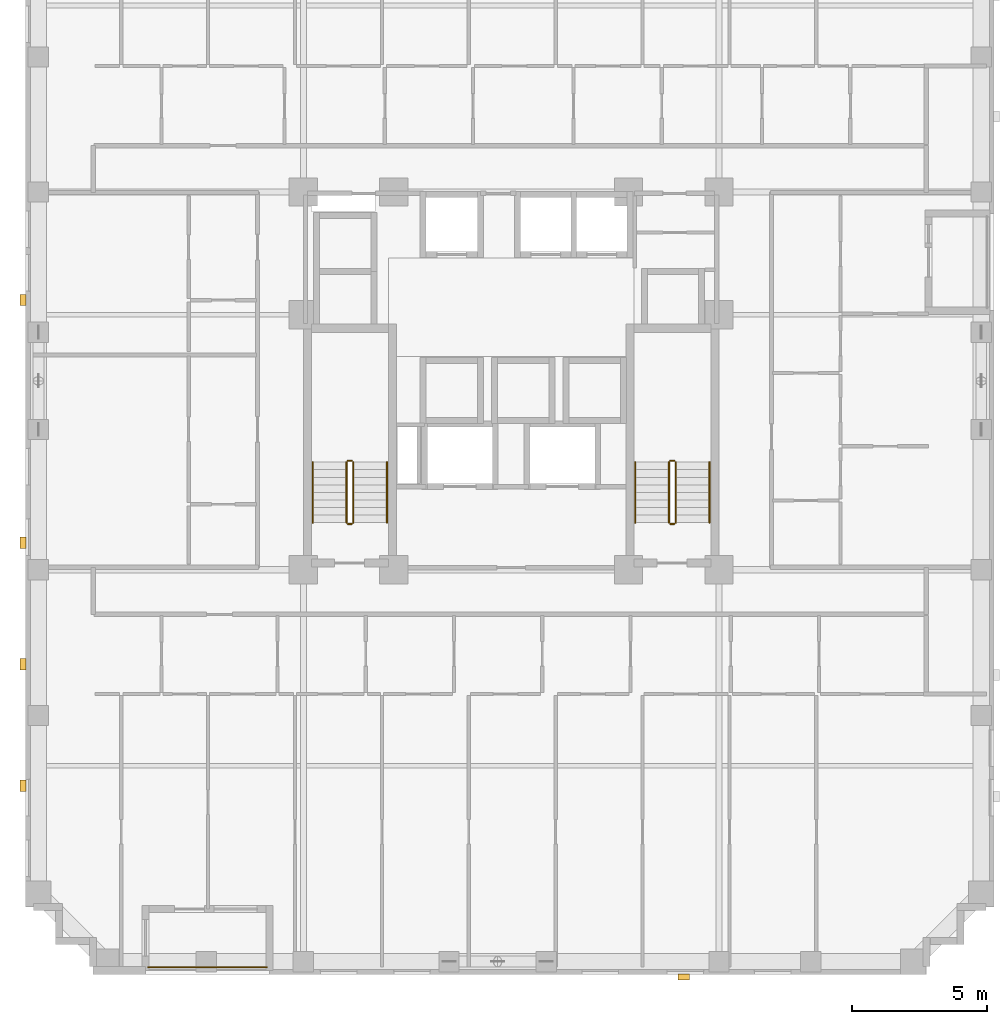
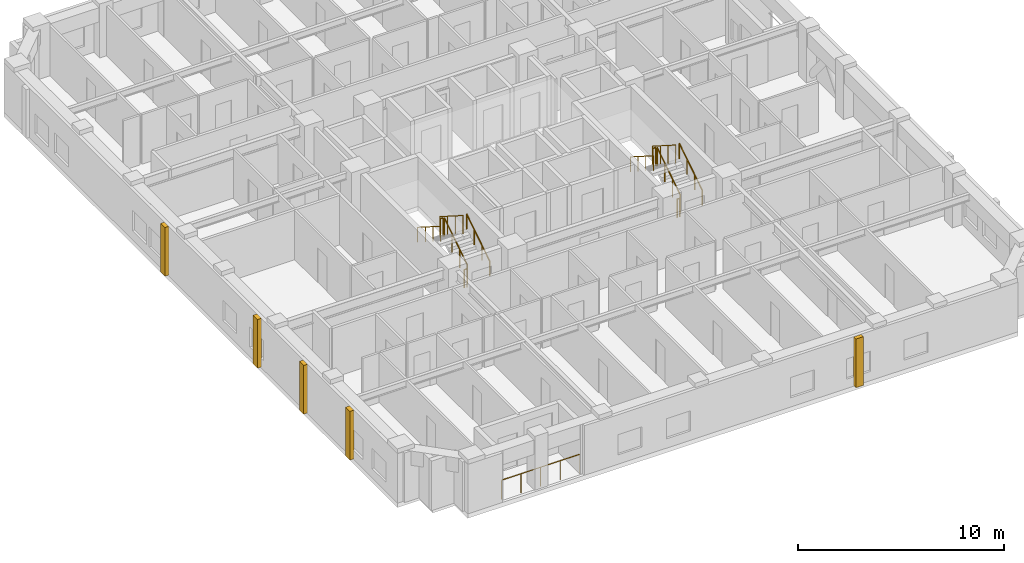
# One storey, part 12 of 13: 13 railings, 5 coverings.
"""IFC4 building model written with IfcOpenShell, lengths in metres."""

from ifc_helpers import new_model, si_unit, derived_unit, direction, frame, origin, origin_2d, place, context, subcontext, project, spatial, rectangle, circle, extrude, material, layer, layer_set, type_object, element, save


model = new_model("IFC4")

# Units and contexts
model_context = context("Model", 3, precision=1e-05, world=origin(), true_north=direction((0.0, 1.0)))
body_context = subcontext(model_context, "Body", "Model", "MODEL_VIEW")
ifc_project = project(units=[si_unit("LENGTHUNIT", "METRE"), si_unit("AREAUNIT", "SQUARE_METRE"), si_unit("VOLUMEUNIT", "CUBIC_METRE"), si_unit("PLANEANGLEUNIT", "RADIAN"), si_unit("MASSUNIT", "GRAM", prefix="KILO"), derived_unit("THERMALTRANSMITTANCEUNIT", [(si_unit("MASSUNIT", "GRAM", prefix="KILO"), 1), (si_unit("TIMEUNIT", "SECOND"), -3), (si_unit("THERMODYNAMICTEMPERATUREUNIT", "KELVIN"), -1)])], contexts=[model_context])

# Site, building, storey
site_placement = place(None, origin())
site = spatial("IfcSite", under=ifc_project, at=site_placement, CompositionType="ELEMENT")
building_placement = place(site_placement, origin())
building = spatial("IfcBuilding", under=site, at=building_placement, Name="Korrvale Station Residences", CompositionType="ELEMENT")
storey_placement = place(building_placement, frame((0.0, 0.0, 100.699951171875)))
storey = spatial("IfcBuildingStorey", under=building, at=storey_placement, Name="L28", CompositionType="ELEMENT", Elevation=100.699951171875)

# Coverings
ifc_material_1 = material(Name="Architectural precast concrete C45/55", Category="concrete")
ifc_layer = layer(ifc_material_1, 0.219970703125, Name="Architectural precast concrete C45/55")
ifc_layer_set = layer_set([ifc_layer], Name="Architectural precast concrete C45/55")
covering_type = type_object("IfcCoveringType", Name="COV-PIER-400", PredefinedType="CLADDING", material=ifc_layer_set)
for number, where, z_axis, x_axis, name in (
    (1, (31.89990234375, -0.090087890625, 0.02490234375), (0.0, 0.0, 1.0), (1.0, 0.0, 0.0), "L28 Architectural Precast Facade Pier 01"),
    (2, (7.409912109375, 7.0, 0.02490234375), (0.0, 0.0, 1.0), (0.0, 1.0, 0.0), "L28 Architectural Precast Facade Pier 04"),
    (3, (7.409912109375, 11.5, 0.02490234375), (0.0, 0.0, 1.0), (0.0, 1.0, 0.0), "L28 Architectural Precast Facade Pier 05"),
    (4, (7.409912109375, 16.0, 0.02490234375), (0.0, 0.0, 1.0), (0.0, 1.0, 0.0), "L28 Architectural Precast Facade Pier 06"),
    (5, (7.409912109375, 25.0, 0.02490234375), (0.0, 0.0, 1.0), (0.0, 1.0, 0.0), "L28 Architectural Precast Facade Pier 07"),
):
    element("IfcCovering", number, at=place(storey_placement, frame(where, z_axis=z_axis, x_axis=x_axis)), inside=storey, type_object=covering_type, Name=name, PredefinedType="CLADDING", context=body_context, shape_type="SweptSolid", body=[
        extrude(rectangle(XDim=0.419921875, YDim=0.219970703125, at=origin_2d()), origin(), (0.0, 0.0, 1.0), 2.889892578125),
    ])

# Railings
ifc_material_2 = material(Name="Powder-coated aluminium picket loggia guard", Category="aluminium")
railing_type_1 = type_object("IfcRailingType", Name="RLG-BAL-1150", PredefinedType="GUARDRAIL", material=ifc_material_2)
railing_1_placement = place(storey_placement, frame((12.050048828125, 0.27001953125, 0.0)))
element("IfcRailing", 6, at=railing_1_placement, inside=storey, type_object=railing_type_1, Name="L28 Recessed Loggia Guardrail BAL-L28-S1", PredefinedType="GUARDRAIL", context=body_context, shape_type="SweptSolid", body=[
    extrude(circle(Radius=0.02392578125, at=origin_2d()), frame((0.0, 0.0, 1.1259765625), z_axis=(1.0, 0.0, 0.0), x_axis=(0.0, 1.0, 0.0)), (0.0, 0.0, 1.0), 4.39990234375),
    extrude(circle(Radius=0.02099609375, at=origin_2d()), origin(), (0.0, 0.0, 1.0), 1.101806640625),
    extrude(circle(Radius=0.02099609375, at=origin_2d()), frame((1.10009765625, 0.0, 0.0)), (0.0, 0.0, 1.0), 1.101806640625),
    extrude(circle(Radius=0.02099609375, at=origin_2d()), frame((2.199951171875, 0.0, 0.0)), (0.0, 0.0, 1.0), 1.101806640625),
    extrude(circle(Radius=0.02099609375, at=origin_2d()), frame((3.2998046875, 0.0, 0.0)), (0.0, 0.0, 1.0), 1.101806640625),
    extrude(circle(Radius=0.02099609375, at=origin_2d()), frame((4.39990234375, 0.0, 0.0)), (0.0, 0.0, 1.0), 1.101806640625),
])
ifc_material_3 = material(Name="Brushed stainless-steel continuous stair handrail", Category="steel")
railing_type_2 = type_object("IfcRailingType", Name="RLG-SHND-900", PredefinedType="HANDRAIL", material=ifc_material_3)
railing_2_placement = place(storey_placement, frame((20.89990234375, 16.75, 0.177734375)))
element("IfcRailing", 7, at=railing_2_placement, inside=storey, type_object=railing_type_2, Name="L28 ST-1 stair handrail 1", PredefinedType="HANDRAIL", context=body_context, shape_type="SweptSolid", body=[
    extrude(circle(Radius=0.02392578125, at=origin_2d()), frame((0.0, 0.0, 0.8759765625), z_axis=(0.0, 0.84418770128, 0.536047689118), x_axis=(-1.0, 0.0, 0.0)), (0.0, 0.0, 1.0), 2.6533203125),
    extrude(circle(Radius=0.02099609375, at=origin_2d()), origin(), (0.0, 0.0, 1.0), 0.851806640625),
    extrude(circle(Radius=0.02099609375, at=origin_2d()), frame((0.0, 0.74658203125, 0.47412109375)), (0.0, 0.0, 1.0), 0.851806640625),
    extrude(circle(Radius=0.02099609375, at=origin_2d()), frame((0.0, 1.493408203125, 0.9482421875)), (0.0, 0.0, 1.0), 0.851806640625),
    extrude(circle(Radius=0.02099609375, at=origin_2d()), frame((0.0, 2.239990234375, 1.42236328125)), (0.0, 0.0, 1.0), 0.851806640625),
])
railing_3_placement = place(storey_placement, frame((18.14990234375, 18.989990234375, 1.77783203125)))
element("IfcRailing", 8, at=railing_3_placement, inside=storey, type_object=railing_type_2, Name="L28 ST-1 stair handrail 2", PredefinedType="HANDRAIL", context=body_context, shape_type="SweptSolid", body=[
    extrude(circle(Radius=0.02392578125, at=origin_2d()), frame((0.0, 0.0, 0.8759765625), z_axis=(0.0, -0.8442293374, 0.53598211339), x_axis=(1.0, 0.0, 0.0)), (0.0, 0.0, 1.0), 2.6533203125),
    extrude(circle(Radius=0.02099609375, at=origin_2d()), origin(), (0.0, 0.0, 1.0), 0.851806640625),
    extrude(circle(Radius=0.02099609375, at=origin_2d()), frame((0.0, -0.74658203125, 0.47412109375)), (0.0, 0.0, 1.0), 0.851806640625),
    extrude(circle(Radius=0.02099609375, at=origin_2d()), frame((0.0, -1.493408203125, 0.947998046875)), (0.0, 0.0, 1.0), 0.851806640625),
    extrude(circle(Radius=0.02099609375, at=origin_2d()), frame((0.0, -2.239990234375, 1.422119140625)), (0.0, 0.0, 1.0), 0.851806640625),
])
railing_4_placement = place(storey_placement, frame((32.85009765625, 16.75, 0.177734375)))
element("IfcRailing", 9, at=railing_4_placement, inside=storey, type_object=railing_type_2, Name="L28 ST-2 stair handrail 1", PredefinedType="HANDRAIL", context=body_context, shape_type="SweptSolid", body=[
    extrude(circle(Radius=0.02392578125, at=origin_2d()), frame((0.0, 0.0, 0.8759765625), z_axis=(0.0, 0.84418770128, 0.536047689118), x_axis=(-1.0, 0.0, 0.0)), (0.0, 0.0, 1.0), 2.6533203125),
    extrude(circle(Radius=0.02099609375, at=origin_2d()), origin(), (0.0, 0.0, 1.0), 0.851806640625),
    extrude(circle(Radius=0.02099609375, at=origin_2d()), frame((0.0, 0.74658203125, 0.47412109375)), (0.0, 0.0, 1.0), 0.851806640625),
    extrude(circle(Radius=0.02099609375, at=origin_2d()), frame((0.0, 1.493408203125, 0.9482421875)), (0.0, 0.0, 1.0), 0.851806640625),
    extrude(circle(Radius=0.02099609375, at=origin_2d()), frame((0.0, 2.239990234375, 1.42236328125)), (0.0, 0.0, 1.0), 0.851806640625),
])
railing_5_placement = place(storey_placement, frame((30.10009765625, 18.989990234375, 1.77783203125)))
element("IfcRailing", 10, at=railing_5_placement, inside=storey, type_object=railing_type_2, Name="L28 ST-2 stair handrail 2", PredefinedType="HANDRAIL", context=body_context, shape_type="SweptSolid", body=[
    extrude(circle(Radius=0.02392578125, at=origin_2d()), frame((0.0, 0.0, 0.8759765625), z_axis=(0.0, -0.8442293374, 0.53598211339), x_axis=(1.0, 0.0, 0.0)), (0.0, 0.0, 1.0), 2.6533203125),
    extrude(circle(Radius=0.02099609375, at=origin_2d()), origin(), (0.0, 0.0, 1.0), 0.851806640625),
    extrude(circle(Radius=0.02099609375, at=origin_2d()), frame((0.0, -0.74658203125, 0.47412109375)), (0.0, 0.0, 1.0), 0.851806640625),
    extrude(circle(Radius=0.02099609375, at=origin_2d()), frame((0.0, -1.493408203125, 0.947998046875)), (0.0, 0.0, 1.0), 0.851806640625),
    extrude(circle(Radius=0.02099609375, at=origin_2d()), frame((0.0, -2.239990234375, 1.422119140625)), (0.0, 0.0, 1.0), 0.851806640625),
])
ifc_material_4 = material(Name="Galvanised painted tubular steel stair guard", Category="steel")
railing_type_3 = type_object("IfcRailingType", Name="RLG-STR-1100", PredefinedType="GUARDRAIL", material=ifc_material_4)
railing_6_placement = place(storey_placement, frame((19.64990234375, 16.75, 0.177734375)))
element("IfcRailing", 11, at=railing_6_placement, inside=storey, type_object=railing_type_3, Name="L28 ST-1 stair guard 1", PredefinedType="GUARDRAIL", context=body_context, shape_type="SweptSolid", body=[
    extrude(circle(Radius=0.02392578125, at=origin_2d()), frame((0.0, 0.0, 1.076171875), z_axis=(0.0, 0.84418770128, 0.536047689118), x_axis=(-1.0, 0.0, 0.0)), (0.0, 0.0, 1.0), 2.6533203125),
    extrude(circle(Radius=0.02099609375, at=origin_2d()), origin(), (0.0, 0.0, 1.0), 1.052001953125),
    extrude(circle(Radius=0.02099609375, at=origin_2d()), frame((0.0, 0.74658203125, 0.47412109375)), (0.0, 0.0, 1.0), 1.052001953125),
    extrude(circle(Radius=0.02099609375, at=origin_2d()), frame((0.0, 1.493408203125, 0.9482421875)), (0.0, 0.0, 1.0), 1.052001953125),
    extrude(circle(Radius=0.02099609375, at=origin_2d()), frame((0.0, 2.239990234375, 1.42236328125)), (0.0, 0.0, 1.0), 1.052001953125),
])
railing_7_placement = place(storey_placement, frame((19.60009765625, 19.0400390625, 1.60009765625)))
element("IfcRailing", 12, at=railing_7_placement, inside=storey, type_object=railing_type_3, Name="L28 ST-1 stair guard 2", PredefinedType="GUARDRAIL", context=body_context, shape_type="SweptSolid", body=[
    extrude(circle(Radius=0.02392578125, at=origin_2d()), frame((0.0, 0.0, 1.076171875), z_axis=(-1.0, 0.0, 0.0), x_axis=(0.0, -1.0, 0.0)), (0.0, 0.0, 1.0), 0.150146484375),
    extrude(circle(Radius=0.02099609375, at=origin_2d()), origin(), (0.0, 0.0, 1.0), 1.052001953125),
    extrude(circle(Radius=0.02099609375, at=origin_2d()), frame((-0.150146484375, 0.0, 0.0)), (0.0, 0.0, 1.0), 1.052001953125),
])
railing_8_placement = place(storey_placement, frame((19.39990234375, 18.989990234375, 1.77783203125)))
element("IfcRailing", 13, at=railing_8_placement, inside=storey, type_object=railing_type_3, Name="L28 ST-1 stair guard 3", PredefinedType="GUARDRAIL", context=body_context, shape_type="SweptSolid", body=[
    extrude(circle(Radius=0.02392578125, at=origin_2d()), frame((0.0, 0.0, 1.076171875), z_axis=(0.0, -0.8442293374, 0.53598211339), x_axis=(1.0, 0.0, 0.0)), (0.0, 0.0, 1.0), 2.6533203125),
    extrude(circle(Radius=0.02099609375, at=origin_2d()), origin(), (0.0, 0.0, 1.0), 1.052001953125),
    extrude(circle(Radius=0.02099609375, at=origin_2d()), frame((0.0, -0.74658203125, 0.47412109375)), (0.0, 0.0, 1.0), 1.052001953125),
    extrude(circle(Radius=0.02099609375, at=origin_2d()), frame((0.0, -1.493408203125, 0.947998046875)), (0.0, 0.0, 1.0), 1.052001953125),
    extrude(circle(Radius=0.02099609375, at=origin_2d()), frame((0.0, -2.239990234375, 1.422119140625)), (0.0, 0.0, 1.0), 1.052001953125),
])
railing_9_placement = place(storey_placement, frame((19.60009765625, 16.699951171875, 0.0)))
element("IfcRailing", 14, at=railing_9_placement, inside=storey, type_object=railing_type_3, Name="L28 ST-1 stair guard 4", PredefinedType="GUARDRAIL", context=body_context, shape_type="SweptSolid", body=[
    extrude(circle(Radius=0.02392578125, at=origin_2d()), frame((0.0, 0.0, 1.076171875), z_axis=(-1.0, 0.0, 0.0), x_axis=(0.0, -1.0, 0.0)), (0.0, 0.0, 1.0), 0.150146484375),
    extrude(circle(Radius=0.02099609375, at=origin_2d()), origin(), (0.0, 0.0, 1.0), 1.052001953125),
    extrude(circle(Radius=0.02099609375, at=origin_2d()), frame((-0.150146484375, 0.0, 0.0)), (0.0, 0.0, 1.0), 1.052001953125),
])
railing_10_placement = place(storey_placement, frame((31.60009765625, 16.75, 0.177734375)))
element("IfcRailing", 15, at=railing_10_placement, inside=storey, type_object=railing_type_3, Name="L28 ST-2 stair guard 1", PredefinedType="GUARDRAIL", context=body_context, shape_type="SweptSolid", body=[
    extrude(circle(Radius=0.02392578125, at=origin_2d()), frame((0.0, 0.0, 1.076171875), z_axis=(0.0, 0.84418770128, 0.536047689118), x_axis=(-1.0, 0.0, 0.0)), (0.0, 0.0, 1.0), 2.6533203125),
    extrude(circle(Radius=0.02099609375, at=origin_2d()), origin(), (0.0, 0.0, 1.0), 1.052001953125),
    extrude(circle(Radius=0.02099609375, at=origin_2d()), frame((0.0, 0.74658203125, 0.47412109375)), (0.0, 0.0, 1.0), 1.052001953125),
    extrude(circle(Radius=0.02099609375, at=origin_2d()), frame((0.0, 1.493408203125, 0.9482421875)), (0.0, 0.0, 1.0), 1.052001953125),
    extrude(circle(Radius=0.02099609375, at=origin_2d()), frame((0.0, 2.239990234375, 1.42236328125)), (0.0, 0.0, 1.0), 1.052001953125),
])
railing_11_placement = place(storey_placement, frame((31.550048828125, 19.0400390625, 1.60009765625)))
element("IfcRailing", 16, at=railing_11_placement, inside=storey, type_object=railing_type_3, Name="L28 ST-2 stair guard 2", PredefinedType="GUARDRAIL", context=body_context, shape_type="SweptSolid", body=[
    extrude(circle(Radius=0.02392578125, at=origin_2d()), frame((0.0, 0.0, 1.076171875), z_axis=(-1.0, 0.0, 0.0), x_axis=(0.0, -1.0, 0.0)), (0.0, 0.0, 1.0), 0.150146484375),
    extrude(circle(Radius=0.02099609375, at=origin_2d()), origin(), (0.0, 0.0, 1.0), 1.052001953125),
    extrude(circle(Radius=0.02099609375, at=origin_2d()), frame((-0.150146484375, 0.0, 0.0)), (0.0, 0.0, 1.0), 1.052001953125),
])
railing_12_placement = place(storey_placement, frame((31.35009765625, 18.989990234375, 1.77783203125)))
element("IfcRailing", 17, at=railing_12_placement, inside=storey, type_object=railing_type_3, Name="L28 ST-2 stair guard 3", PredefinedType="GUARDRAIL", context=body_context, shape_type="SweptSolid", body=[
    extrude(circle(Radius=0.02392578125, at=origin_2d()), frame((0.0, 0.0, 1.076171875), z_axis=(0.0, -0.8442293374, 0.53598211339), x_axis=(1.0, 0.0, 0.0)), (0.0, 0.0, 1.0), 2.6533203125),
    extrude(circle(Radius=0.02099609375, at=origin_2d()), origin(), (0.0, 0.0, 1.0), 1.052001953125),
    extrude(circle(Radius=0.02099609375, at=origin_2d()), frame((0.0, -0.74658203125, 0.47412109375)), (0.0, 0.0, 1.0), 1.052001953125),
    extrude(circle(Radius=0.02099609375, at=origin_2d()), frame((0.0, -1.493408203125, 0.947998046875)), (0.0, 0.0, 1.0), 1.052001953125),
    extrude(circle(Radius=0.02099609375, at=origin_2d()), frame((0.0, -2.239990234375, 1.422119140625)), (0.0, 0.0, 1.0), 1.052001953125),
])
railing_13_placement = place(storey_placement, frame((31.550048828125, 16.699951171875, 0.0)))
element("IfcRailing", 18, at=railing_13_placement, inside=storey, type_object=railing_type_3, Name="L28 ST-2 stair guard 4", PredefinedType="GUARDRAIL", context=body_context, shape_type="SweptSolid", body=[
    extrude(circle(Radius=0.02392578125, at=origin_2d()), frame((0.0, 0.0, 1.076171875), z_axis=(-1.0, 0.0, 0.0), x_axis=(0.0, -1.0, 0.0)), (0.0, 0.0, 1.0), 0.150146484375),
    extrude(circle(Radius=0.02099609375, at=origin_2d()), origin(), (0.0, 0.0, 1.0), 1.052001953125),
    extrude(circle(Radius=0.02099609375, at=origin_2d()), frame((-0.150146484375, 0.0, 0.0)), (0.0, 0.0, 1.0), 1.052001953125),
])

save(model, "model.ifc")
